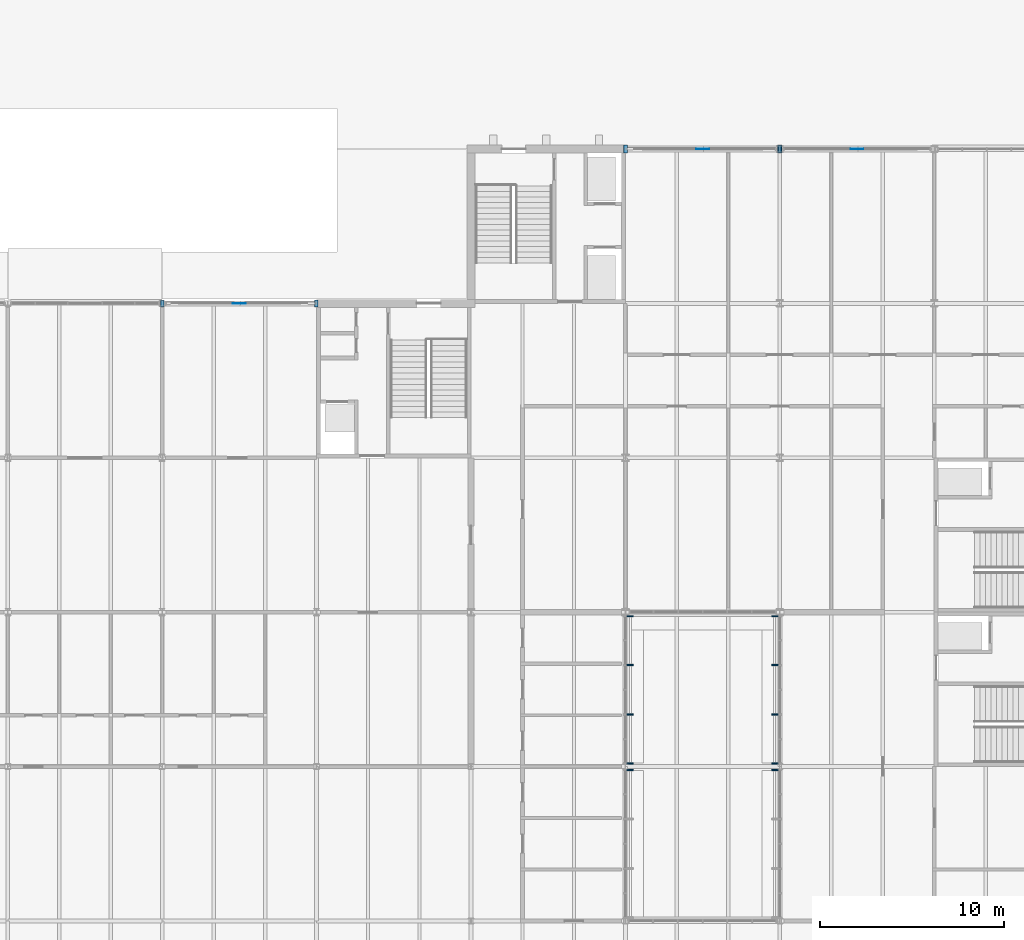
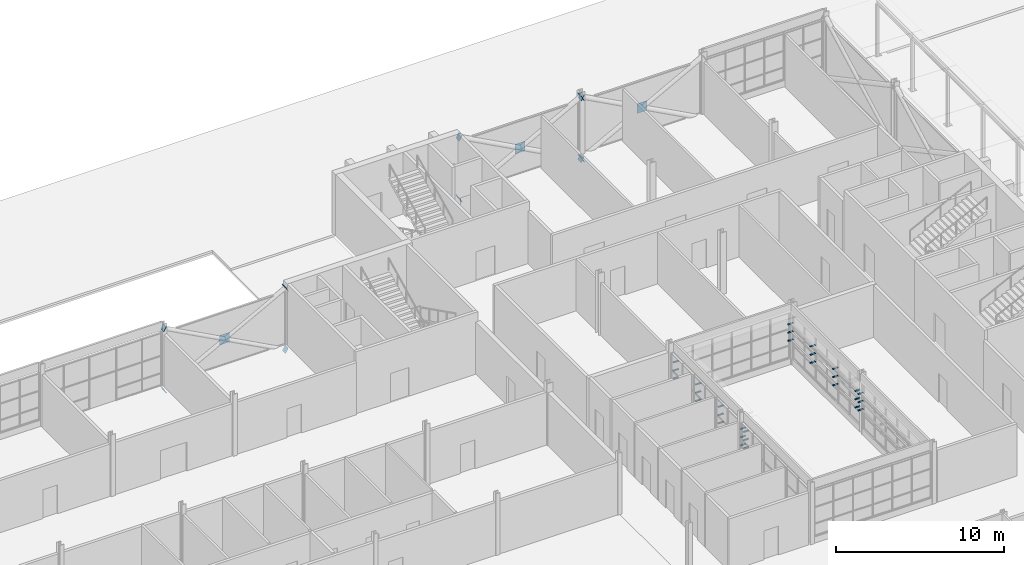
# One storey, part 108 of 116: 43 discrete accessories.
"""IFC4 building model written with IfcOpenShell, lengths in metres."""

import ifcopenshell
import ifcopenshell.guid

model = None  # the IFC model being written
_history = None  # IfcOwnerHistory: only IFC2X3 demands one
_inside = {}  # id of a spatial element -> (the spatial element, [elements in it])
_under = {}  # id of a project, library or spatial element -> (it, [spatial elements below it])
_declared = {}  # id of a project -> (the project, [libraries it declares])
_typed = {}  # id of a type object -> (the type object, [elements of that type])
_made_of = {}  # id of a material, layer set ... -> (it, [elements and type objects made of it])


def new_model(schema):
    """Start an empty IFC model of exactly this schema.

    Asked for "IFC4X3", IfcOpenShell would pick the latest addendum, in which some entities
    have other attributes; the version numbers below select the first issue.
    IFC2X3 requires an IfcOwnerHistory on every rooted entity: one is made here for all.
    """
    global model, _history
    if schema == "IFC4X3":
        model = ifcopenshell.file(schema_version=(4, 3, 0, 0))
    else:
        model = ifcopenshell.file(schema=schema)
    _inside.clear()
    _under.clear()
    _declared.clear()
    _typed.clear()
    _made_of.clear()
    _history = None
    if model.schema == "IFC2X3":
        org = make("IfcOrganization", Name="unknown")
        user = make(
            "IfcPersonAndOrganization",
            ThePerson=make("IfcPerson", FamilyName="unknown"),
            TheOrganization=org,
        )
        app = make(
            "IfcApplication",
            ApplicationDeveloper=org,
            Version="unknown",
            ApplicationFullName="unknown",
            ApplicationIdentifier="unknown",
        )
        _history = make(
            "IfcOwnerHistory",
            OwningUser=user,
            OwningApplication=app,
            ChangeAction="ADDED",
            CreationDate=0,
        )
    return model


def make(cls, **values):
    """One entity of the class cls with the attributes given. An attribute that is None is left unset."""
    return model.create_entity(
        cls, **{name: value for name, value in values.items() if value is not None}
    )


def rooted(cls, **values):
    """An entity with a GlobalId (a new one), such as an element, a storey or a relation."""
    return make(cls, GlobalId=ifcopenshell.guid.new(), OwnerHistory=_history, **values)


def si_unit(unit_type, name, prefix=None):
    """IfcSIUnit, for example si_unit("LENGTHUNIT", "METRE", prefix="MILLI")."""
    return make("IfcSIUnit", UnitType=unit_type, Prefix=prefix, Name=name)


def assignment(units):
    """IfcUnitAssignment: the units of a project."""
    return None if units is None else make("IfcUnitAssignment", Units=units)


def point(xyz):
    """IfcCartesianPoint."""
    return None if xyz is None else make("IfcCartesianPoint", Coordinates=xyz)


def direction(xyz):
    """IfcDirection."""
    return None if xyz is None else make("IfcDirection", DirectionRatios=xyz)


def frame(location, z_axis=None, x_axis=None):
    """IfcAxis2Placement3D, a coordinate frame: its origin and axes. An axis left out is left unset."""
    return make(
        "IfcAxis2Placement3D",
        Location=point(location),
        Axis=direction(z_axis),
        RefDirection=direction(x_axis),
    )


def frame_2d(location, x_axis=None):
    """IfcAxis2Placement2D, a coordinate frame in the plane: its origin and x axis."""
    return make(
        "IfcAxis2Placement2D", Location=point(location), RefDirection=direction(x_axis)
    )


def origin():
    """The frame at (0, 0, 0) with its axes left unset."""
    return frame((0.0, 0.0, 0.0))


def origin_2d():
    """The frame at (0, 0) in the plane with its x axis left unset."""
    return frame_2d((0.0, 0.0))


def place(relative_to, where):
    """IfcLocalPlacement: puts the frame where relative to a parent placement (None: the world)."""
    return make(
        "IfcLocalPlacement", PlacementRelTo=relative_to, RelativePlacement=where
    )


def context(
    kind, dimensions, precision=None, world=None, true_north=None, identifier=None
):
    """IfcGeometricRepresentationContext, for example the 3D "Model" context."""
    return make(
        "IfcGeometricRepresentationContext",
        ContextIdentifier=identifier,
        ContextType=kind,
        CoordinateSpaceDimension=dimensions,
        Precision=precision,
        WorldCoordinateSystem=world,
        TrueNorth=true_north,
    )


def subcontext(parent, identifier, kind, view, scale=None):
    """IfcGeometricRepresentationSubContext, for example "Body" below "Model"."""
    return make(
        "IfcGeometricRepresentationSubContext",
        ContextIdentifier=identifier,
        ContextType=kind,
        ParentContext=parent,
        TargetScale=scale,
        TargetView=view,
    )


def project(units=None, contexts=None):
    """IfcProject with its units and contexts."""
    return rooted(
        "IfcProject",
        Name="project",
        RepresentationContexts=contexts,
        UnitsInContext=assignment(units),
    )


def spatial(cls, under=None, at=None, **own):
    """A site, building, storey or space (cls), placed at a placement, below another one or the project."""
    s = rooted(cls, ObjectPlacement=at, **own)
    if under is not None:
        _under.setdefault(under.id(), (under, []))[1].append(s)
    return s


def profile(cls, at=None, kind="AREA", **sizes):
    """A parametric profile (cls). Its sizes go by their IFC names, for example OverallWidth=200.0."""
    return make(cls, ProfileType=kind, Position=at, **sizes)


def rectangle(**sizes):
    """IfcRectangleProfileDef."""
    return profile("IfcRectangleProfileDef", **sizes)


def extrude(swept, where, along, depth):
    """IfcExtrudedAreaSolid: the profile swept, set in the frame where, extruded along a direction by depth."""
    return make(
        "IfcExtrudedAreaSolid",
        SweptArea=swept,
        Position=where,
        ExtrudedDirection=direction(along),
        Depth=depth,
    )


def shape(context_of_items, identifier, shape_type, items):
    """IfcShapeRepresentation: the items that make up one representation, for example the "Body"."""
    return make(
        "IfcShapeRepresentation",
        ContextOfItems=context_of_items,
        RepresentationIdentifier=identifier,
        RepresentationType=shape_type,
        Items=items,
    )


def material(Name=None, Category=None):
    """IfcMaterial."""
    return make("IfcMaterial", Name=Name, Category=Category)


def material_profile(
    of_material, cross_section, Name=None, Category=None, Priority=None
):
    """IfcMaterialProfile: a cross section and its material."""
    return make(
        "IfcMaterialProfile",
        Name=Name,
        Material=of_material,
        Profile=cross_section,
        Priority=Priority,
        Category=Category,
    )


def profile_set(profiles, Name=None, composite=None):
    """IfcMaterialProfileSet."""
    return make(
        "IfcMaterialProfileSet",
        Name=Name,
        MaterialProfiles=profiles,
        CompositeProfile=composite,
    )


def made_of(thing, what):
    """Note that an element or type object is made of a material, layer set ...; save() writes the relation."""
    if what is not None:
        _made_of.setdefault(what.id(), (what, []))[1].append(thing)
    return thing


def type_object(cls, material=None, **own):
    """A type object (cls), such as IfcWallType, which elements share."""
    return made_of(rooted(cls, **own), material)


def element(
    cls,
    number,
    at=None,
    inside=None,
    cuts=None,
    type_object=None,
    material=None,
    context=None,
    identifier="Body",
    shape_type=None,
    held_by="IfcProductDefinitionShape",
    body=None,
    shapes=None,
    **own,
):
    """One element of the class cls, such as IfcWall. Its Tag is "e" and its number.

    at: its placement. inside: the storey or other place that contains it. cuts: it is an
    opening in that element (IfcRelVoidsElement). A single representation is given by context,
    identifier, shape_type and body (its items); several are given by shapes. held_by: the class
    of the entity that holds the representations. save() writes the other relations.
    """
    e = rooted(cls, Tag="e%d" % number, ObjectPlacement=at, **own)
    if body is not None:
        shapes = [shape(context, identifier, shape_type, body)]
    if shapes is not None:
        e.Representation = make(held_by, Representations=shapes)
    if inside is not None:
        _inside.setdefault(inside.id(), (inside, []))[1].append(e)
    if cuts is not None:
        rooted(
            "IfcRelVoidsElement", RelatingBuildingElement=cuts, RelatedOpeningElement=e
        )
    if type_object is not None:
        _typed.setdefault(type_object.id(), (type_object, []))[1].append(e)
    return made_of(e, material)


def aggregate(whole, parts):
    """IfcRelAggregates: a whole, such as a stair, and the parts it consists of."""
    return rooted("IfcRelAggregates", RelatingObject=whole, RelatedObjects=parts)


def save(model, path):
    """Write the relations noted so far, then the file.

    IfcRelAggregates (storeys below a building ...), IfcRelContainedInSpatialStructure (elements
    in a storey), IfcRelDefinesByType, IfcRelAssociatesMaterial and IfcRelDeclares: one each for
    every whole, place, type object, material and project.
    """
    for whole, parts in _under.values():
        aggregate(whole, parts)
    for where, things in _inside.values():
        rooted(
            "IfcRelContainedInSpatialStructure",
            RelatedElements=things,
            RelatingStructure=where,
        )
    for kind, things in _typed.values():
        rooted("IfcRelDefinesByType", RelatedObjects=things, RelatingType=kind)
    for what, things in _made_of.values():
        rooted("IfcRelAssociatesMaterial", RelatedObjects=things, RelatingMaterial=what)
    for by, libraries in _declared.values():
        rooted("IfcRelDeclares", RelatingContext=by, RelatedDefinitions=libraries)
    model.write(path)


model = new_model("IFC4")

# Units and contexts
model_context = context("Model", 3, precision=1e-05, world=origin(), true_north=direction((0.0, 1.0)))
body_context = subcontext(model_context, "Body", "Model", "MODEL_VIEW")
ifc_project = project(units=[si_unit("LENGTHUNIT", "METRE"), si_unit("AREAUNIT", "SQUARE_METRE"), si_unit("VOLUMEUNIT", "CUBIC_METRE"), si_unit("PLANEANGLEUNIT", "RADIAN"), si_unit("MASSUNIT", "GRAM", prefix="KILO")], contexts=[model_context])

# Site, building, storey
site_placement = place(None, origin())
site = spatial("IfcSite", under=ifc_project, at=site_placement, CompositionType="ELEMENT")
building_placement = place(site_placement, origin())
building = spatial("IfcBuilding", under=site, at=building_placement, Name="Ardhachandra Cancer Care Centre", CompositionType="ELEMENT")
storey_placement = place(building_placement, origin())
storey = spatial("IfcBuildingStorey", under=building, at=storey_placement, Name="L00", CompositionType="ELEMENT", Elevation=0.0)

# Discrete accessories
ifc_material_1 = material(Name="Steel E250 (IS 2062)", Category="steel")
ifc_material_profile_1 = material_profile(ifc_material_1, rectangle(XDim=0.373046875, YDim=0.373046875, at=origin_2d()), Name="PL 373x373x20")
ifc_profile_set_1 = profile_set([ifc_material_profile_1], Name="Steel E250 (IS 2062)")
discrete_accessory_type_1 = type_object("IfcDiscreteAccessoryType", Name="Brace end plate 373 x 373 x 20", PredefinedType="BRACKET", material=ifc_profile_set_1)
discrete_accessory_1_placement = place(storey_placement, frame((94.800048828125, 96.60009765625, -0.39990234375), z_axis=(0.884384752847, 0.0, 0.466758619558), x_axis=(0.0, 1.0, 0.0)))
element("IfcDiscreteAccessory", 1, at=discrete_accessory_1_placement, inside=storey, type_object=discrete_accessory_type_1, Name="Brace end plate V1-X966-948 L00 A0", PredefinedType="BRACKET", context=body_context, shape_type="SweptSolid", body=[
    extrude(rectangle(XDim=0.373046875, YDim=0.373046875, at=origin_2d()), origin(), (0.0, 0.0, 1.0), 0.019775390625),
])
discrete_accessory_2_placement = place(storey_placement, frame((103.199951171875, 96.60009765625, 4.10009765625), z_axis=(-0.879291966537, 0.0, -0.476283148541), x_axis=(0.0, -1.0, 0.0)))
element("IfcDiscreteAccessory", 2, at=discrete_accessory_2_placement, inside=storey, type_object=discrete_accessory_type_1, Name="Brace end plate V1-X966-948 L00 A1", PredefinedType="BRACKET", context=body_context, shape_type="SweptSolid", body=[
    extrude(rectangle(XDim=0.373046875, YDim=0.373046875, at=origin_2d()), origin(), (0.0, 0.0, 1.0), 0.02001953125),
])
discrete_accessory_3_placement = place(storey_placement, frame((103.199951171875, 96.60009765625, -0.39990234375), z_axis=(-0.884384752847, 0.0, 0.466758619558), x_axis=(0.0, -1.0, 0.0)))
element("IfcDiscreteAccessory", 3, at=discrete_accessory_3_placement, inside=storey, type_object=discrete_accessory_type_1, Name="Brace end plate V1-X966-948 L00 B10", PredefinedType="BRACKET", context=body_context, shape_type="SweptSolid", body=[
    extrude(rectangle(XDim=0.373046875, YDim=0.373046875, at=origin_2d()), origin(), (0.0, 0.0, 1.0), 0.019775390625),
])
discrete_accessory_4_placement = place(storey_placement, frame((94.800048828125, 96.60009765625, 4.10009765625), z_axis=(0.879291966537, 0.0, -0.476283148541), x_axis=(0.0, 1.0, 0.0)))
element("IfcDiscreteAccessory", 4, at=discrete_accessory_4_placement, inside=storey, type_object=discrete_accessory_type_1, Name="Brace end plate V1-X966-948 L00 B21", PredefinedType="BRACKET", context=body_context, shape_type="SweptSolid", body=[
    extrude(rectangle(XDim=0.373046875, YDim=0.373046875, at=origin_2d()), origin(), (0.0, 0.0, 1.0), 0.02001953125),
])
ifc_material_2 = material(Name="Steel E250 (IS 2062)", Category="steel")
ifc_material_profile_2 = material_profile(ifc_material_2, rectangle(XDim=0.423828125, YDim=0.423828125, at=origin_2d()), Name="PL 424x424x20")
ifc_profile_set_2 = profile_set([ifc_material_profile_2], Name="Steel E250 (IS 2062)")
discrete_accessory_type_2 = type_object("IfcDiscreteAccessoryType", Name="Brace end plate 424 x 424 x 20", PredefinedType="BRACKET", material=ifc_profile_set_2)
discrete_accessory_5_placement = place(storey_placement, frame((120.0, 105.0, -0.39990234375), z_axis=(0.884384752847, 0.0, 0.466758619558), x_axis=(0.0, 1.0, 0.0)))
element("IfcDiscreteAccessory", 5, at=discrete_accessory_5_placement, inside=storey, type_object=discrete_accessory_type_2, Name="Brace end plate V5-X1050-1200 L00 A0", PredefinedType="BRACKET", context=body_context, shape_type="SweptSolid", body=[
    extrude(rectangle(XDim=0.423828125, YDim=0.423828125, at=origin_2d()), origin(), (0.0, 0.0, 1.0), 0.019775390625),
])
discrete_accessory_6_placement = place(storey_placement, frame((128.39990234375, 105.0, 4.10009765625), z_axis=(-0.879291966537, 0.0, -0.476283148541), x_axis=(0.0, -1.0, 0.0)))
element("IfcDiscreteAccessory", 6, at=discrete_accessory_6_placement, inside=storey, type_object=discrete_accessory_type_2, Name="Brace end plate V5-X1050-1200 L00 A1", PredefinedType="BRACKET", context=body_context, shape_type="SweptSolid", body=[
    extrude(rectangle(XDim=0.423828125, YDim=0.423828125, at=origin_2d()), origin(), (0.0, 0.0, 1.0), 0.02001953125),
])
discrete_accessory_7_placement = place(storey_placement, frame((128.39990234375, 105.0, -0.39990234375), z_axis=(-0.884384752847, 0.0, 0.466758619558), x_axis=(0.0, -1.0, 0.0)))
element("IfcDiscreteAccessory", 7, at=discrete_accessory_7_placement, inside=storey, type_object=discrete_accessory_type_2, Name="Brace end plate V5-X1050-1200 L00 B10", PredefinedType="BRACKET", context=body_context, shape_type="SweptSolid", body=[
    extrude(rectangle(XDim=0.423828125, YDim=0.423828125, at=origin_2d()), origin(), (0.0, 0.0, 1.0), 0.019775390625),
])
for number, where, z_axis, x_axis, name in (
    (8, (120.0, 105.0, 4.10009765625), (0.879291966537, 0.0, -0.476283148541), (0.0, 1.0, 0.0), "Brace end plate V5-X1050-1200 L00 B21"),
    (9, (128.39990234375, 105.0, -0.39990234375), (0.887017774073, 0.0, 0.461735279655), (0.0, 1.0, 0.0), "Brace end plate V5-X1050-1284 L00 A0"),
):
    element("IfcDiscreteAccessory", number, at=place(storey_placement, frame(where, z_axis=z_axis, x_axis=x_axis)), inside=storey, type_object=discrete_accessory_type_2, Name=name, PredefinedType="BRACKET", context=body_context, shape_type="SweptSolid", body=[
        extrude(rectangle(XDim=0.423828125, YDim=0.423828125, at=origin_2d()), origin(), (0.0, 0.0, 1.0), 0.02001953125),
    ])
discrete_accessory_8_placement = place(storey_placement, frame((128.39990234375, 105.0, 4.10009765625), z_axis=(0.882018256262, 0.0, -0.471215232798), x_axis=(0.0, 1.0, 0.0)))
element("IfcDiscreteAccessory", 10, at=discrete_accessory_8_placement, inside=storey, type_object=discrete_accessory_type_2, Name="Brace end plate V5-X1050-1284 L00 B21", PredefinedType="BRACKET", context=body_context, shape_type="SweptSolid", body=[
    extrude(rectangle(XDim=0.423828125, YDim=0.423828125, at=origin_2d()), origin(), (0.0, 0.0, 1.0), 0.020263671875),
])
ifc_material_3 = material(Name="Steel E250 (IS 2062)", Category="steel")
ifc_material_profile_3 = material_profile(ifc_material_3, rectangle(XDim=0.699951171875, YDim=0.699951171875, at=origin_2d()), Name="PL 700x700x20")
ifc_profile_set_3 = profile_set([ifc_material_profile_3], Name="Steel E250 (IS 2062)")
discrete_accessory_type_3 = type_object("IfcDiscreteAccessoryType", Name="Brace node plate 700 x 700 x 20", PredefinedType="BRACKET", material=ifc_profile_set_3)
for number, where, z_axis, x_axis, name in (
    (11, (124.199951171875, 104.989990234375, 1.85009765625), (0.0, 1.0, 0.0), (-1.0, 0.0, 0.0), "Brace node plate V5-X1050-1200 L00"),
    (12, (132.60009765625, 104.989990234375, 1.85009765625), (0.0, 1.0, 0.0), (-1.0, 0.0, 0.0), "Brace node plate V5-X1050-1284 L00"),
    (13, (99.0, 96.590087890625, 1.85009765625), (0.0, 1.0, 0.0), (-1.0, 0.0, 0.0), "Brace node plate V1-X966-948 L00"),
):
    element("IfcDiscreteAccessory", number, at=place(storey_placement, frame(where, z_axis=z_axis, x_axis=x_axis)), inside=storey, type_object=discrete_accessory_type_3, Name=name, PredefinedType="BRACKET", context=body_context, shape_type="SweptSolid", body=[
        extrude(rectangle(XDim=0.699951171875, YDim=0.699951171875, at=origin_2d()), origin(), (0.0, 0.0, 1.0), 0.02001953125),
    ])
ifc_material_4 = material(Name="Galvanised flat steel (Steel E250 (IS 2062))", Category="steel")
discrete_accessory_type_4 = type_object("IfcDiscreteAccessoryType", Name="Louvre bracket 80 x 350", PredefinedType="BRACKET", material=ifc_material_4)
for number, where, z_axis, x_axis, name in (
    (14, (120.2548828125, 71.219970703125, 1.83447265625), (0.0, 0.0, 1.0), (0.0, 1.0, 0.0), "Louvre bracket L00/e/0120000_0063000 1.4"),
    (15, (120.2548828125, 71.219970703125, 2.4345703125), (0.0, 0.0, 1.0), (0.0, 1.0, 0.0), "Louvre bracket L00/e/0120000_0063000 2.4"),
    (16, (120.2548828125, 71.219970703125, 3.03466796875), (0.0, 0.0, 1.0), (0.0, 1.0, 0.0), "Louvre bracket L00/e/0120000_0063000 3.4"),
    (17, (120.2548828125, 71.580078125, 1.83447265625), (0.0, 0.0, 1.0), (0.0, 1.0, 0.0), "Louvre bracket L00/e/0120000_0071400 1.1"),
    (18, (120.2548828125, 74.236572265625, 1.83447265625), (0.0, 0.0, 1.0), (0.0, 1.0, 0.0), "Louvre bracket L00/e/0120000_0071400 1.2"),
    (19, (120.2548828125, 76.92333984375, 1.83447265625), (0.0, 0.0, 1.0), (0.0, 1.0, 0.0), "Louvre bracket L00/e/0120000_0071400 1.3"),
    (20, (120.2548828125, 79.580078125, 1.83447265625), (0.0, 0.0, 1.0), (0.0, 1.0, 0.0), "Louvre bracket L00/e/0120000_0071400 1.4"),
    (21, (120.2548828125, 71.580078125, 2.4345703125), (0.0, 0.0, 1.0), (0.0, 1.0, 0.0), "Louvre bracket L00/e/0120000_0071400 2.1"),
    (22, (120.2548828125, 74.236572265625, 2.4345703125), (0.0, 0.0, 1.0), (0.0, 1.0, 0.0), "Louvre bracket L00/e/0120000_0071400 2.2"),
    (23, (120.2548828125, 76.92333984375, 2.4345703125), (0.0, 0.0, 1.0), (0.0, 1.0, 0.0), "Louvre bracket L00/e/0120000_0071400 2.3"),
    (24, (120.2548828125, 79.580078125, 2.4345703125), (0.0, 0.0, 1.0), (0.0, 1.0, 0.0), "Louvre bracket L00/e/0120000_0071400 2.4"),
    (25, (120.2548828125, 71.580078125, 3.03466796875), (0.0, 0.0, 1.0), (0.0, 1.0, 0.0), "Louvre bracket L00/e/0120000_0071400 3.1"),
    (26, (120.2548828125, 74.236572265625, 3.03466796875), (0.0, 0.0, 1.0), (0.0, 1.0, 0.0), "Louvre bracket L00/e/0120000_0071400 3.2"),
    (27, (120.2548828125, 76.92333984375, 3.03466796875), (0.0, 0.0, 1.0), (0.0, 1.0, 0.0), "Louvre bracket L00/e/0120000_0071400 3.3"),
    (28, (120.2548828125, 79.580078125, 3.03466796875), (0.0, 0.0, 1.0), (0.0, 1.0, 0.0), "Louvre bracket L00/e/0120000_0071400 3.4"),
    (29, (128.14501953125, 71.219970703125, 1.83447265625), (0.0, 0.0, 1.0), (0.0, 1.0, 0.0), "Louvre bracket L00/w/0128400_0063000 1.4"),
    (30, (128.14501953125, 71.219970703125, 2.4345703125), (0.0, 0.0, 1.0), (0.0, 1.0, 0.0), "Louvre bracket L00/w/0128400_0063000 2.4"),
    (31, (128.14501953125, 71.219970703125, 3.03466796875), (0.0, 0.0, 1.0), (0.0, 1.0, 0.0), "Louvre bracket L00/w/0128400_0063000 3.4"),
    (32, (128.14501953125, 71.580078125, 1.83447265625), (0.0, 0.0, 1.0), (0.0, 1.0, 0.0), "Louvre bracket L00/w/0128400_0071400 1.1"),
    (33, (128.14501953125, 74.236572265625, 1.83447265625), (0.0, 0.0, 1.0), (0.0, 1.0, 0.0), "Louvre bracket L00/w/0128400_0071400 1.2"),
    (34, (128.14501953125, 76.92333984375, 1.83447265625), (0.0, 0.0, 1.0), (0.0, 1.0, 0.0), "Louvre bracket L00/w/0128400_0071400 1.3"),
    (35, (128.14501953125, 79.580078125, 1.83447265625), (0.0, 0.0, 1.0), (0.0, 1.0, 0.0), "Louvre bracket L00/w/0128400_0071400 1.4"),
    (36, (128.14501953125, 71.580078125, 2.4345703125), (0.0, 0.0, 1.0), (0.0, 1.0, 0.0), "Louvre bracket L00/w/0128400_0071400 2.1"),
    (37, (128.14501953125, 74.236572265625, 2.4345703125), (0.0, 0.0, 1.0), (0.0, 1.0, 0.0), "Louvre bracket L00/w/0128400_0071400 2.2"),
    (38, (128.14501953125, 76.92333984375, 2.4345703125), (0.0, 0.0, 1.0), (0.0, 1.0, 0.0), "Louvre bracket L00/w/0128400_0071400 2.3"),
    (39, (128.14501953125, 79.580078125, 2.4345703125), (0.0, 0.0, 1.0), (0.0, 1.0, 0.0), "Louvre bracket L00/w/0128400_0071400 2.4"),
    (40, (128.14501953125, 71.580078125, 3.03466796875), (0.0, 0.0, 1.0), (0.0, 1.0, 0.0), "Louvre bracket L00/w/0128400_0071400 3.1"),
    (41, (128.14501953125, 74.236572265625, 3.03466796875), (0.0, 0.0, 1.0), (0.0, 1.0, 0.0), "Louvre bracket L00/w/0128400_0071400 3.2"),
    (42, (128.14501953125, 76.92333984375, 3.03466796875), (0.0, 0.0, 1.0), (0.0, 1.0, 0.0), "Louvre bracket L00/w/0128400_0071400 3.3"),
    (43, (128.14501953125, 79.580078125, 3.03466796875), (0.0, 0.0, 1.0), (0.0, 1.0, 0.0), "Louvre bracket L00/w/0128400_0071400 3.4"),
):
    element("IfcDiscreteAccessory", number, at=place(storey_placement, frame(where, z_axis=z_axis, x_axis=x_axis)), inside=storey, type_object=discrete_accessory_type_4, Name=name, PredefinedType="BRACKET", context=body_context, shape_type="SweptSolid", body=[
        extrude(rectangle(XDim=0.080078125, YDim=0.35009765625, at=origin_2d()), origin(), (0.0, 0.0, 1.0), 0.050048828125),
    ])

save(model, "model.ifc")
